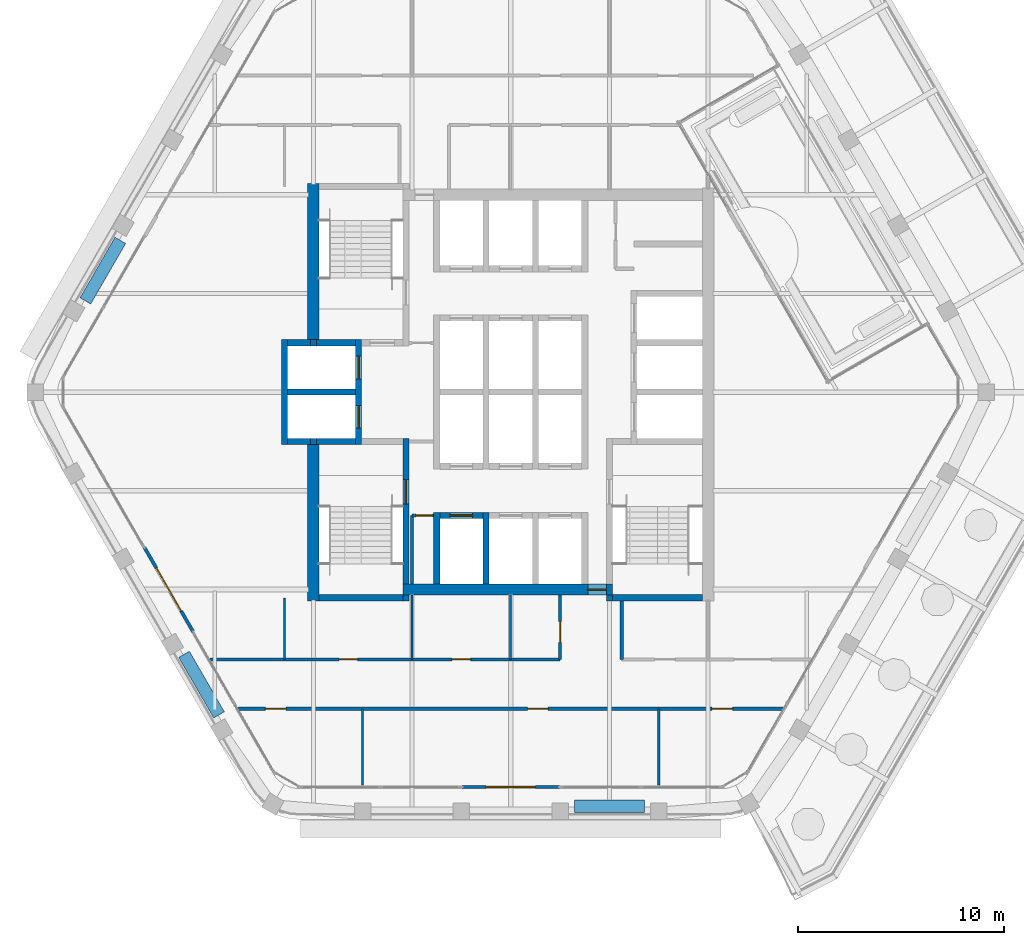
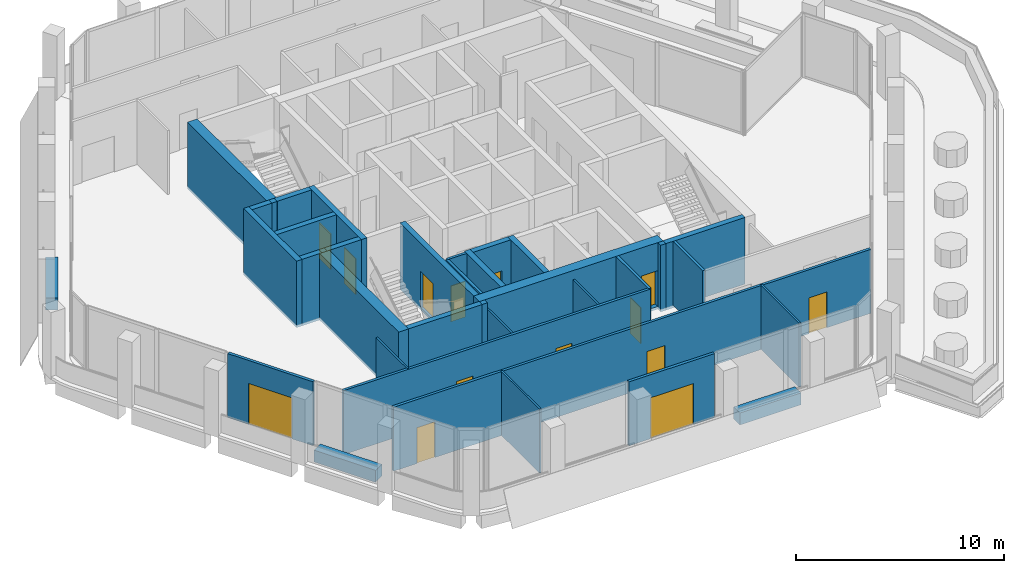
# One storey, part 11 of 17: 36 walls, 14 doors, 14 openings.
"""IFC4 building model written with IfcOpenShell, lengths in metres."""

from ifc_helpers import new_model, si_unit, direction, frame, frame_2d, origin, place, context, subcontext, project, spatial, rectangle, extrude, material, layer, layer_set, type_object, element, fill, save


model = new_model("IFC4")

# Units and contexts
model_context = context("Model", 3, precision=1e-05, world=origin(), true_north=direction((0.0, 1.0)))
body_context = subcontext(model_context, "Body", "Model", "MODEL_VIEW")
ifc_project = project(units=[si_unit("LENGTHUNIT", "METRE"), si_unit("AREAUNIT", "SQUARE_METRE"), si_unit("VOLUMEUNIT", "CUBIC_METRE"), si_unit("PLANEANGLEUNIT", "RADIAN"), si_unit("MASSUNIT", "GRAM", prefix="KILO")], contexts=[model_context])

# Site, building, storey
site_placement = place(None, origin())
site = spatial("IfcSite", under=ifc_project, at=site_placement, CompositionType="ELEMENT")
building_placement = place(site_placement, origin())
building = spatial("IfcBuilding", under=site, at=building_placement, Name="Kolab Exchange Tower", CompositionType="ELEMENT")
storey_placement = place(building_placement, frame((0.0, 0.0, 285.199951171875)))
storey = spatial("IfcBuildingStorey", under=building, at=storey_placement, Name="L64", CompositionType="ELEMENT", Elevation=285.199951171875)

# Wall, opening, door
ifc_material_1 = material(Name="Concrete C50/60", Category="concrete")
ifc_layer_1 = layer(ifc_material_1, 0.550048828125)
ifc_layer_set_1 = layer_set([ifc_layer_1], Name="Concrete C50/60")
wall_type_1 = type_object("IfcWallType", Name="CORE WALL 550 C50/60", PredefinedType="SHEAR", material=ifc_layer_set_1)
wall_1_placement = place(storey_placement, frame((-5.25, -9.60009765625, -0.14990234375), z_axis=(0.0, 0.0, 1.0), x_axis=(1.0, 0.0, 0.0)))
wall_1 = element("IfcWall", 1, at=wall_1_placement, inside=storey, type_object=wall_type_1, Name="wall/L64/core/002", PredefinedType="SHEAR", context=body_context, shape_type="SweptSolid", body=[
    extrude(rectangle(XDim=10.199951171875, YDim=0.550048828125, at=frame_2d((5.10009765625, 0.0))), origin(), (0.0, 0.0, 1.0), 3.89990234375),
])
opening_1_placement = place(wall_1_placement, frame((9.0, 0.0, 0.14990234375)))
opening_1 = element("IfcOpeningElement", 2, at=opening_1_placement, cuts=wall_1, Name="Opening D6-296", PredefinedType="OPENING", context=body_context, shape_type="SweptSolid", body=[
    extrude(rectangle(XDim=0.89990234375, YDim=2.10009765625, at=frame_2d((0.449951171875, 1.050048828125))), frame((0.0, 0.28515625, 0.0), z_axis=(0.0, -1.0, 0.0), x_axis=(1.0, 0.0, 0.0)), (0.0, 0.0, 1.0), 0.570068359375),
])
ifc_material_2 = material(Name="Steel S235", Category="steel")
door_type_1 = type_object("IfcDoorType", Name="CORE DOOR 900 EI 120", OperationType="SINGLE_SWING_LEFT", PredefinedType="DOOR", material=ifc_material_2)
door_1_placement = place(opening_1_placement, origin())
door_1 = element("IfcDoor", 3, at=door_1_placement, inside=storey, type_object=door_type_1, Name="Core lobby door", OperationType="SINGLE_SWING_LEFT", OverallHeight=2.10009765625, OverallWidth=0.89990234375, PredefinedType="DOOR", context=body_context, shape_type="SweptSolid", body=[
    extrude(rectangle(XDim=0.89990234375, YDim=2.10009765625, at=frame_2d((0.449951171875, 1.050048828125))), frame((0.0, 0.02490234375, 0.0), z_axis=(0.0, -1.0, 0.0), x_axis=(1.0, 0.0, 0.0)), (0.0, 0.0, 1.0), 0.050048828125),
])
fill(opening_1, door_1)

# Walls
for number, where, z_axis, x_axis, name in (
    (4, (-9.60009765625, -10.14990234375, -0.14990234375), (0.0, 0.0, 1.0), (0.0, 1.0, 0.0), "wall/L64/core/034"),
    (5, (-9.60009765625, 2.550048828125, -0.14990234375), (0.0, 0.0, 1.0), (0.0, 1.0, 0.0), "wall/L64/core/037"),
):
    element("IfcWall", number, at=place(storey_placement, frame(where, z_axis=z_axis, x_axis=x_axis)), inside=storey, type_object=wall_type_1, Name=name, PredefinedType="SHEAR", context=body_context, shape_type="SweptSolid", body=[
        extrude(rectangle(XDim=7.599853515625, YDim=0.550048828125, at=frame_2d((3.7998046875, 0.0))), origin(), (0.0, 0.0, 1.0), 3.89990234375),
    ])

# Wall, opening, door
ifc_material_3 = material(Name="Aluminium EN AW-6063 T6", Category="aluminium")
ifc_layer_2 = layer(ifc_material_3, 0.159912109375)
ifc_layer_set_2 = layer_set([ifc_layer_2], Name="Aluminium EN AW-6063 T6")
wall_type_2 = type_object("IfcWallType", Name="DOOR SURROUND WALL 160 ALUMINIUM FRAMED", PredefinedType="PARTITIONING", material=ifc_layer_set_2)
wall_2_placement = place(storey_placement, frame((2.3701171875, -19.20458984375, 0.0), z_axis=(0.0, 0.0, 1.0), x_axis=(-1.0, 0.0, 0.0)))
wall_2 = element("IfcWall", 6, at=wall_2_placement, inside=storey, type_object=wall_type_2, Name="Door surround wall", PredefinedType="PARTITIONING", context=body_context, shape_type="SweptSolid", body=[
    extrude(rectangle(XDim=4.740234375, YDim=0.159912109375, at=frame_2d((2.3701171875, 0.0))), origin(), (0.0, 0.0, 1.0), 3.75),
])
opening_2_placement = place(wall_2_placement, frame((1.169921875, 0.0, 0.0)))
opening_2 = element("IfcOpeningElement", 7, at=opening_2_placement, cuts=wall_2, Name="Opening GD1-092", PredefinedType="OPENING", context=body_context, shape_type="SweptSolid", body=[
    extrude(rectangle(XDim=2.39990234375, YDim=2.39990234375, at=frame_2d((1.199951171875, 1.199951171875))), frame((0.0, 0.08984375, 0.0), z_axis=(0.0, -1.0, 0.0), x_axis=(1.0, 0.0, 0.0)), (0.0, 0.0, 1.0), 0.179931640625),
])
door_type_2 = type_object("IfcDoorType", Name="LOGGIA SLIDING GLASS DOOR 2400 X 2400", OperationType="DOUBLE_DOOR_SINGLE_SWING", PredefinedType="DOOR", material=ifc_material_3)
door_2_placement = place(opening_2_placement, origin())
door_2 = element("IfcDoor", 8, at=door_2_placement, inside=storey, type_object=door_type_2, Name="Loggia door", OperationType="DOUBLE_DOOR_SLIDING", OverallHeight=2.39990234375, OverallWidth=2.39990234375, PredefinedType="DOOR", context=body_context, shape_type="SweptSolid", body=[
    extrude(rectangle(XDim=2.39990234375, YDim=2.39990234375, at=frame_2d((1.199951171875, 1.199951171875))), frame((0.0, 0.02490234375, 0.0), z_axis=(0.0, -1.0, 0.0), x_axis=(1.0, 0.0, 0.0)), (0.0, 0.0, 1.0), 0.050048828125),
])
fill(opening_2, door_2)

wall_3_placement = place(storey_placement, frame((-15.44677734375, -11.65478515625, 0.0), z_axis=(0.0, 0.0, 1.0), x_axis=(-0.499978080042, 0.866038058908, 0.0)))
wall_3 = element("IfcWall", 9, at=wall_3_placement, inside=storey, type_object=wall_type_2, Name="Door surround wall", PredefinedType="PARTITIONING", context=body_context, shape_type="SweptSolid", body=[
    extrude(rectangle(XDim=4.739990234375, YDim=0.159912109375, at=frame_2d((2.3701171875, 0.0))), origin(), (0.0, 0.0, 1.0), 3.75),
])
opening_3_placement = place(wall_3_placement, frame((1.169921875, 0.0, 0.0)))
opening_3 = element("IfcOpeningElement", 10, at=opening_3_placement, cuts=wall_3, Name="Opening GD1-093", PredefinedType="OPENING", context=body_context, shape_type="SweptSolid", body=[
    extrude(rectangle(XDim=2.39990234375, YDim=2.39990234375, at=frame_2d((1.199951171875, 1.199951171875))), frame((0.0, 0.08984375, 0.0), z_axis=(0.0, -1.0, 0.0), x_axis=(1.0, 0.0, 0.0)), (0.0, 0.0, 1.0), 0.179931640625),
])
door_3_placement = place(opening_3_placement, origin())
door_3 = element("IfcDoor", 11, at=door_3_placement, inside=storey, type_object=door_type_2, Name="Loggia door", OperationType="DOUBLE_DOOR_SLIDING", OverallHeight=2.39990234375, OverallWidth=2.39990234375, PredefinedType="DOOR", context=body_context, shape_type="SweptSolid", body=[
    extrude(rectangle(XDim=2.39990234375, YDim=2.39990234375, at=frame_2d((1.199951171875, 1.199951171875))), frame((0.0, 0.02490234375, 0.0), z_axis=(0.0, -1.0, 0.0), x_axis=(1.0, 0.0, 0.0)), (0.0, 0.0, 1.0), 0.050048828125),
])
fill(opening_3, door_3)

ifc_layer_3 = layer(ifc_material_1, 0.300048828125)
ifc_layer_set_3 = layer_set([ifc_layer_3], Name="Concrete C50/60")
wall_type_3 = type_object("IfcWallType", Name="LIFT SHAFT WALL 300 C50/60", PredefinedType="STANDARD", material=ifc_layer_set_3)
wall_4_placement = place(storey_placement, frame((-3.449951171875, -6.0, -0.14990234375), z_axis=(0.0, 0.0, 1.0), x_axis=(1.0, 0.0, 0.0)))
wall_4 = element("IfcWall", 12, at=wall_4_placement, inside=storey, type_object=wall_type_3, Name="wall/L64/core/003", PredefinedType="STANDARD", context=body_context, shape_type="SweptSolid", body=[
    extrude(rectangle(XDim=2.099853515625, YDim=0.300048828125, at=frame_2d((1.0498046875, 0.0))), origin(), (0.0, 0.0, 1.0), 3.89990234375),
])
opening_4_placement = place(wall_4_placement, frame((0.5, 0.0, 0.14990234375)))
opening_4 = element("IfcOpeningElement", 13, at=opening_4_placement, cuts=wall_4, Name="Opening LD1-110", PredefinedType="OPENING", context=body_context, shape_type="SweptSolid", body=[
    extrude(rectangle(XDim=1.10009765625, YDim=2.10009765625, at=frame_2d((0.550048828125, 1.050048828125))), frame((0.0, 0.16015625, 0.0), z_axis=(0.0, -1.0, 0.0), x_axis=(1.0, 0.0, 0.0)), (0.0, 0.0, 1.0), 0.320068359375),
])
ifc_material_4 = material(Name="Stainless steel 316", Category="steel")
door_type_3 = type_object("IfcDoorType", Name="LANDING DOOR 1100 PASSENGER", OperationType="DOUBLE_DOOR_SLIDING", PredefinedType="DOOR", material=ifc_material_4)
door_4_placement = place(opening_4_placement, origin())
door_4 = element("IfcDoor", 14, at=door_4_placement, inside=storey, type_object=door_type_3, Name="Landing door HR10", OperationType="DOUBLE_DOOR_SLIDING", OverallHeight=2.10009765625, OverallWidth=1.10009765625, PredefinedType="DOOR", context=body_context, shape_type="SweptSolid", body=[
    extrude(rectangle(XDim=1.10009765625, YDim=2.10009765625, at=frame_2d((0.550048828125, 1.050048828125))), frame((0.0, 0.02490234375, 0.0), z_axis=(0.0, -1.0, 0.0), x_axis=(1.0, 0.0, 0.0)), (0.0, 0.0, 1.0), 0.050048828125),
])
fill(opening_4, door_4)

# Walls
wall_5_placement = place(storey_placement, frame((-10.85009765625, -2.39990234375, -0.14990234375), z_axis=(0.0, 0.0, 1.0), x_axis=(1.0, 0.0, 0.0)))
element("IfcWall", 15, at=wall_5_placement, inside=storey, type_object=wall_type_3, Name="wall/L64/core/009", PredefinedType="STANDARD", context=body_context, shape_type="SweptSolid", body=[
    extrude(rectangle(XDim=1.10009765625, YDim=0.300048828125, at=frame_2d((0.550048828125, 0.0))), origin(), (0.0, 0.0, 1.0), 3.89990234375),
])
wall_6_placement = place(storey_placement, frame((-10.85009765625, 0.0, -0.14990234375), z_axis=(0.0, 0.0, 1.0), x_axis=(1.0, 0.0, 0.0)))
element("IfcWall", 16, at=wall_6_placement, inside=storey, type_object=wall_type_3, Name="wall/L64/core/014", PredefinedType="STANDARD", context=body_context, shape_type="SweptSolid", body=[
    extrude(rectangle(XDim=3.300048828125, YDim=0.300048828125, at=frame_2d((1.64990234375, 0.0))), origin(), (0.0, 0.0, 1.0), 3.89990234375),
])
wall_7_placement = place(storey_placement, frame((-10.85009765625, 2.39990234375, -0.14990234375), z_axis=(0.0, 0.0, 1.0), x_axis=(1.0, 0.0, 0.0)))
element("IfcWall", 17, at=wall_7_placement, inside=storey, type_object=wall_type_3, Name="wall/L64/core/019", PredefinedType="STANDARD", context=body_context, shape_type="SweptSolid", body=[
    extrude(rectangle(XDim=1.10009765625, YDim=0.300048828125, at=frame_2d((0.550048828125, 0.0))), origin(), (0.0, 0.0, 1.0), 3.89990234375),
])
wall_8_placement = place(storey_placement, frame((-11.0, -2.550048828125, -0.14990234375), z_axis=(0.0, 0.0, 1.0), x_axis=(0.0, 1.0, 0.0)))
element("IfcWall", 18, at=wall_8_placement, inside=storey, type_object=wall_type_3, Name="wall/L64/core/033", PredefinedType="STANDARD", context=body_context, shape_type="SweptSolid", body=[
    extrude(rectangle(XDim=5.10009765625, YDim=0.300048828125, at=frame_2d((2.550048828125, 0.0))), origin(), (0.0, 0.0, 1.0), 3.89990234375),
])

# Wall, openings, doors
wall_9_placement = place(storey_placement, frame((-7.39990234375, -2.550048828125, -0.14990234375), z_axis=(0.0, 0.0, 1.0), x_axis=(0.0, 1.0, 0.0)))
wall_9 = element("IfcWall", 19, at=wall_9_placement, inside=storey, type_object=wall_type_3, Name="wall/L64/core/038", PredefinedType="STANDARD", context=body_context, shape_type="SweptSolid", body=[
    extrude(rectangle(XDim=5.10009765625, YDim=0.300048828125, at=frame_2d((2.550048828125, 0.0))), origin(), (0.0, 0.0, 1.0), 3.89990234375),
])
opening_5_placement = place(wall_9_placement, frame((0.800048828125, 0.0, 0.14990234375)))
opening_5 = element("IfcOpeningElement", 20, at=opening_5_placement, cuts=wall_9, Name="Opening LD2-025", PredefinedType="OPENING", context=body_context, shape_type="SweptSolid", body=[
    extrude(rectangle(XDim=1.10009765625, YDim=2.10009765625, at=frame_2d((0.550048828125, 1.050048828125))), frame((0.0, 0.16015625, 0.0), z_axis=(0.0, -1.0, 0.0), x_axis=(1.0, 0.0, 0.0)), (0.0, 0.0, 1.0), 0.320068359375),
])
opening_6_placement = place(wall_9_placement, frame((3.199951171875, 0.0, 0.14990234375)))
opening_6 = element("IfcOpeningElement", 21, at=opening_6_placement, cuts=wall_9, Name="Opening LD2-026", PredefinedType="OPENING", context=body_context, shape_type="SweptSolid", body=[
    extrude(rectangle(XDim=1.10009765625, YDim=2.10009765625, at=frame_2d((0.550048828125, 1.050048828125))), frame((0.0, 0.16015625, 0.0), z_axis=(0.0, -1.0, 0.0), x_axis=(1.0, 0.0, 0.0)), (0.0, 0.0, 1.0), 0.320068359375),
])
door_type_4 = type_object("IfcDoorType", Name="LANDING DOOR 1100 FIREFIGHTING", OperationType="DOUBLE_DOOR_SLIDING", PredefinedType="DOOR", material=ifc_material_4)
door_5_placement = place(opening_5_placement, origin())
door_5 = element("IfcDoor", 22, at=door_5_placement, inside=storey, type_object=door_type_4, Name="Landing door FF1", OperationType="DOUBLE_DOOR_SLIDING", OverallHeight=2.10009765625, OverallWidth=1.10009765625, PredefinedType="DOOR", context=body_context, shape_type="SweptSolid", body=[
    extrude(rectangle(XDim=1.10009765625, YDim=2.10009765625, at=frame_2d((0.550048828125, 1.050048828125))), frame((0.0, 0.02490234375, 0.0), z_axis=(0.0, -1.0, 0.0), x_axis=(1.0, 0.0, 0.0)), (0.0, 0.0, 1.0), 0.050048828125),
])
fill(opening_5, door_5)
door_6_placement = place(opening_6_placement, origin())
door_6 = element("IfcDoor", 23, at=door_6_placement, inside=storey, type_object=door_type_4, Name="Landing door FF2", OperationType="DOUBLE_DOOR_SLIDING", OverallHeight=2.10009765625, OverallWidth=1.10009765625, PredefinedType="DOOR", context=body_context, shape_type="SweptSolid", body=[
    extrude(rectangle(XDim=1.10009765625, YDim=2.10009765625, at=frame_2d((0.550048828125, 1.050048828125))), frame((0.0, 0.02490234375, 0.0), z_axis=(0.0, -1.0, 0.0), x_axis=(1.0, 0.0, 0.0)), (0.0, 0.0, 1.0), 0.050048828125),
])
fill(opening_6, door_6)

# Walls
for number, where, z_axis, x_axis, name in (
    (24, (-3.60009765625, -9.324951171875, -0.14990234375), (0.0, 0.0, 1.0), (0.0, 1.0, 0.0), "wall/L64/core/043"),
    (25, (-1.199951171875, -9.324951171875, -0.14990234375), (0.0, 0.0, 1.0), (0.0, 1.0, 0.0), "wall/L64/core/046"),
):
    element("IfcWall", number, at=place(storey_placement, frame(where, z_axis=z_axis, x_axis=x_axis)), inside=storey, type_object=wall_type_3, Name=name, PredefinedType="STANDARD", context=body_context, shape_type="SweptSolid", body=[
        extrude(rectangle(XDim=3.474853515625, YDim=0.300048828125, at=frame_2d((1.7373046875, 0.0))), origin(), (0.0, 0.0, 1.0), 3.89990234375),
    ])
ifc_material_5 = material(Name="Gypsum board", Category="gypsum")
ifc_layer_4 = layer(ifc_material_5, 0.10009765625)
ifc_layer_set_4 = layer_set([ifc_layer_4], Name="Gypsum board")
wall_type_4 = type_object("IfcWallType", Name="PARTITION 100", PredefinedType="PARTITIONING", material=ifc_layer_set_4)
wall_10_placement = place(storey_placement, frame((7.199951171875, -19.114501953125, 0.0), z_axis=(0.0, 0.0, 1.0), x_axis=(0.0, 1.0, 0.0)))
element("IfcWall", 26, at=wall_10_placement, inside=storey, type_object=wall_type_4, Name="Partition 002", PredefinedType="PARTITIONING", context=body_context, shape_type="SweptSolid", body=[
    extrude(rectangle(XDim=3.714599609375, YDim=0.10009765625, at=frame_2d((1.857421875, 0.0))), origin(), (0.0, 0.0, 1.0), 3.75),
])
for number, where, z_axis, x_axis, name in (
    (27, (0.0, -13.0, 0.0), (0.0, 0.0, 1.0), (0.0, 1.0, 0.0), "Partition 008"),
    (28, (-4.800048828125, -13.0, 0.0), (0.0, 0.0, 1.0), (0.0, 1.0, 0.0), "Partition 011"),
):
    element("IfcWall", number, at=place(storey_placement, frame(where, z_axis=z_axis, x_axis=x_axis)), inside=storey, type_object=wall_type_4, Name=name, PredefinedType="PARTITIONING", context=body_context, shape_type="SweptSolid", body=[
        extrude(rectangle(XDim=3.125, YDim=0.10009765625, at=frame_2d((1.5625, 0.0))), origin(), (0.0, 0.0, 1.0), 3.217041015625),
    ])
wall_11_placement = place(storey_placement, frame((-7.199951171875, -19.114501953125, 0.0), z_axis=(0.0, 0.0, 1.0), x_axis=(0.0, 1.0, 0.0)))
element("IfcWall", 29, at=wall_11_placement, inside=storey, type_object=wall_type_4, Name="Partition 015", PredefinedType="PARTITIONING", context=body_context, shape_type="SweptSolid", body=[
    extrude(rectangle(XDim=3.714599609375, YDim=0.10009765625, at=frame_2d((1.857421875, 0.0))), origin(), (0.0, 0.0, 1.0), 3.75),
])
wall_12_placement = place(storey_placement, frame((-11.0, -13.0, 0.0), z_axis=(0.0, 0.0, 1.0), x_axis=(0.0, 1.0, 0.0)))
element("IfcWall", 30, at=wall_12_placement, inside=storey, type_object=wall_type_4, Name="Partition 016", PredefinedType="PARTITIONING", context=body_context, shape_type="SweptSolid", body=[
    extrude(rectangle(XDim=3.0, YDim=0.10009765625, at=frame_2d((1.5, 0.0))), origin(), (0.0, 0.0, 1.0), 3.75),
])
ifc_layer_5 = layer(ifc_material_5, 0.14990234375)
ifc_layer_set_5 = layer_set([ifc_layer_5], Name="Gypsum board")
wall_type_5 = type_object("IfcWallType", Name="PARTITION 150 FIRE-RATED", PredefinedType="PARTITIONING", material=ifc_layer_set_5)
wall_13_placement = place(storey_placement, frame((5.39990234375, -13.0, 0.0), z_axis=(0.0, 0.0, 1.0), x_axis=(0.0, 1.0, 0.0)))
element("IfcWall", 31, at=wall_13_placement, inside=storey, type_object=wall_type_5, Name="Partition 003", PredefinedType="PARTITIONING", context=body_context, shape_type="SweptSolid", body=[
    extrude(rectangle(XDim=2.85009765625, YDim=0.14990234375, at=frame_2d((1.425048828125, 0.0))), origin(), (0.0, 0.0, 1.0), 3.75),
])

# Wall, opening, door
wall_14_placement = place(storey_placement, frame((2.39990234375, -13.0, 0.0), z_axis=(0.0, 0.0, 1.0), x_axis=(0.0, 1.0, 0.0)))
wall_14 = element("IfcWall", 32, at=wall_14_placement, inside=storey, type_object=wall_type_5, Name="Partition 007", PredefinedType="PARTITIONING", context=body_context, shape_type="SweptSolid", body=[
    extrude(rectangle(XDim=3.125, YDim=0.14990234375, at=frame_2d((1.5625, 0.0))), origin(), (0.0, 0.0, 1.0), 3.75),
])
opening_7_placement = place(wall_14_placement, frame((0.8349609375, 0.0, 0.0)))
opening_7 = element("IfcOpeningElement", 33, at=opening_7_placement, cuts=wall_14, Name="Opening D1-746", PredefinedType="OPENING", context=body_context, shape_type="SweptSolid", body=[
    extrude(rectangle(XDim=1.0, YDim=2.10009765625, at=frame_2d((0.5, 1.050048828125))), frame((0.0, 0.0849609375, 0.0), z_axis=(0.0, -1.0, 0.0), x_axis=(1.0, 0.0, 0.0)), (0.0, 0.0, 1.0), 0.169921875),
])
door_type_5 = type_object("IfcDoorType", Name="FLUSH DOOR 1000 FD60", OperationType="SINGLE_SWING_LEFT", PredefinedType="DOOR", material=ifc_material_2)
door_7_placement = place(opening_7_placement, origin())
door_7 = element("IfcDoor", 34, at=door_7_placement, inside=storey, type_object=door_type_5, Name="Door L64-038", OperationType="SINGLE_SWING_LEFT", OverallHeight=2.10009765625, OverallWidth=1.0, PredefinedType="DOOR", context=body_context, shape_type="SweptSolid", body=[
    extrude(rectangle(XDim=1.0, YDim=2.10009765625, at=frame_2d((0.5, 1.050048828125))), frame((0.0, 0.02490234375, 0.0), z_axis=(0.0, -1.0, 0.0), x_axis=(1.0, 0.0, 0.0)), (0.0, 0.0, 1.0), 0.050048828125),
])
fill(opening_7, door_7)

# Wall
wall_15_placement = place(storey_placement, frame((-4.800048828125, -9.324951171875, 0.0), z_axis=(0.0, 0.0, 1.0), x_axis=(0.0, 1.0, 0.0)))
element("IfcWall", 35, at=wall_15_placement, inside=storey, type_object=wall_type_5, Name="Partition 013", PredefinedType="PARTITIONING", context=body_context, shape_type="SweptSolid", body=[
    extrude(rectangle(XDim=3.324951171875, YDim=0.14990234375, at=frame_2d((1.66259765625, 0.0))), origin(), (0.0, 0.0, 1.0), 3.75),
])

# Wall, openings, doors
wall_16_placement = place(storey_placement, frame((-13.23828125, -15.39990234375, 0.0), z_axis=(0.0, 0.0, 1.0), x_axis=(1.0, 0.0, 0.0)))
wall_16 = element("IfcWall", 36, at=wall_16_placement, inside=storey, type_object=wall_type_5, Name="Partition 018", PredefinedType="PARTITIONING", context=body_context, shape_type="SweptSolid", body=[
    extrude(rectangle(XDim=26.4765625, YDim=0.14990234375, at=frame_2d((13.23828125, 0.0))), origin(), (0.0, 0.0, 1.0), 3.75),
])
opening_8_placement = place(wall_16_placement, frame((1.3056640625, 0.0, 0.0)))
opening_8 = element("IfcOpeningElement", 37, at=opening_8_placement, cuts=wall_16, Name="Opening D1-750", PredefinedType="OPENING", context=body_context, shape_type="SweptSolid", body=[
    extrude(rectangle(XDim=1.0, YDim=2.10009765625, at=frame_2d((0.5, 1.050048828125))), frame((0.0, 0.0849609375, 0.0), z_axis=(0.0, -1.0, 0.0), x_axis=(1.0, 0.0, 0.0)), (0.0, 0.0, 1.0), 0.169921875),
])
opening_9_placement = place(wall_16_placement, frame((14.063232421875, 0.0, 0.0)))
opening_9 = element("IfcOpeningElement", 38, at=opening_9_placement, cuts=wall_16, Name="Opening D1-751", PredefinedType="OPENING", context=body_context, shape_type="SweptSolid", body=[
    extrude(rectangle(XDim=1.0, YDim=2.10009765625, at=frame_2d((0.5, 1.050048828125))), frame((0.0, 0.0849609375, 0.0), z_axis=(0.0, -1.0, 0.0), x_axis=(1.0, 0.0, 0.0)), (0.0, 0.0, 1.0), 0.169921875),
])
opening_10_placement = place(wall_16_placement, frame((23.026611328125, 0.0, 0.0)))
opening_10 = element("IfcOpeningElement", 39, at=opening_10_placement, cuts=wall_16, Name="Opening D1-752", PredefinedType="OPENING", context=body_context, shape_type="SweptSolid", body=[
    extrude(rectangle(XDim=1.0, YDim=2.10009765625, at=frame_2d((0.5, 1.050048828125))), frame((0.0, 0.0849609375, 0.0), z_axis=(0.0, -1.0, 0.0), x_axis=(1.0, 0.0, 0.0)), (0.0, 0.0, 1.0), 0.169921875),
])
door_8_placement = place(opening_8_placement, frame((1.0, 0.0, 0.0), z_axis=(0.0, 0.0, 1.0), x_axis=(-1.0, 0.0, 0.0)))
door_8 = element("IfcDoor", 40, at=door_8_placement, inside=storey, type_object=door_type_5, Name="Door L64-042", OperationType="SINGLE_SWING_LEFT", OverallHeight=2.10009765625, OverallWidth=1.0, PredefinedType="DOOR", context=body_context, shape_type="SweptSolid", body=[
    extrude(rectangle(XDim=1.0, YDim=2.10009765625, at=frame_2d((0.5, 1.050048828125))), frame((0.0, 0.02490234375, 0.0), z_axis=(0.0, -1.0, 0.0), x_axis=(1.0, 0.0, 0.0)), (0.0, 0.0, 1.0), 0.050048828125),
])
fill(opening_8, door_8)
door_9_placement = place(opening_9_placement, frame((1.0, 0.0, 0.0), z_axis=(0.0, 0.0, 1.0), x_axis=(-1.0, 0.0, 0.0)))
door_9 = element("IfcDoor", 41, at=door_9_placement, inside=storey, type_object=door_type_5, Name="Door L64-043", OperationType="SINGLE_SWING_RIGHT", OverallHeight=2.10009765625, OverallWidth=1.0, PredefinedType="DOOR", context=body_context, shape_type="SweptSolid", body=[
    extrude(rectangle(XDim=1.0, YDim=2.10009765625, at=frame_2d((0.5, 1.050048828125))), frame((0.0, 0.02490234375, 0.0), z_axis=(0.0, -1.0, 0.0), x_axis=(1.0, 0.0, 0.0)), (0.0, 0.0, 1.0), 0.050048828125),
])
fill(opening_9, door_9)
door_10_placement = place(opening_10_placement, frame((1.0, 0.0, 0.0), z_axis=(0.0, 0.0, 1.0), x_axis=(-1.0, 0.0, 0.0)))
door_10 = element("IfcDoor", 42, at=door_10_placement, inside=storey, type_object=door_type_5, Name="Door L64-044", OperationType="SINGLE_SWING_RIGHT", OverallHeight=2.10009765625, OverallWidth=1.0, PredefinedType="DOOR", context=body_context, shape_type="SweptSolid", body=[
    extrude(rectangle(XDim=1.0, YDim=2.10009765625, at=frame_2d((0.5, 1.050048828125))), frame((0.0, 0.02490234375, 0.0), z_axis=(0.0, -1.0, 0.0), x_axis=(1.0, 0.0, 0.0)), (0.0, 0.0, 1.0), 0.050048828125),
])
fill(opening_10, door_10)

wall_17_placement = place(storey_placement, frame((-14.623779296875, -13.0, 0.0), z_axis=(0.0, 0.0, 1.0), x_axis=(1.0, 0.0, 0.0)))
wall_17 = element("IfcWall", 43, at=wall_17_placement, inside=storey, type_object=wall_type_5, Name="Partition 019", PredefinedType="PARTITIONING", context=body_context, shape_type="SweptSolid", body=[
    extrude(rectangle(XDim=17.023681640625, YDim=0.14990234375, at=frame_2d((8.51171875, 0.0))), origin(), (0.0, 0.0, 1.0), 3.75),
])
opening_11_placement = place(wall_17_placement, frame((6.273681640625, 0.0, 0.0)))
opening_11 = element("IfcOpeningElement", 44, at=opening_11_placement, cuts=wall_17, Name="Opening D3-091", PredefinedType="OPENING", context=body_context, shape_type="SweptSolid", body=[
    extrude(rectangle(XDim=0.89990234375, YDim=2.10009765625, at=frame_2d((0.449951171875, 1.050048828125))), frame((0.0, 0.0849609375, 0.0), z_axis=(0.0, -1.0, 0.0), x_axis=(1.0, 0.0, 0.0)), (0.0, 0.0, 1.0), 0.169921875),
])
opening_12_placement = place(wall_17_placement, frame((11.773681640625, 0.0, 0.0)))
opening_12 = element("IfcOpeningElement", 45, at=opening_12_placement, cuts=wall_17, Name="Opening D3-092", PredefinedType="OPENING", context=body_context, shape_type="SweptSolid", body=[
    extrude(rectangle(XDim=0.89990234375, YDim=2.10009765625, at=frame_2d((0.449951171875, 1.050048828125))), frame((0.0, 0.0849609375, 0.0), z_axis=(0.0, -1.0, 0.0), x_axis=(1.0, 0.0, 0.0)), (0.0, 0.0, 1.0), 0.169921875),
])
door_type_6 = type_object("IfcDoorType", Name="FLUSH DOOR 900 FD60", OperationType="SINGLE_SWING_LEFT", PredefinedType="DOOR", material=ifc_material_2)
door_11_placement = place(opening_11_placement, origin())
door_11 = element("IfcDoor", 46, at=door_11_placement, inside=storey, type_object=door_type_6, Name="Door L64-036", OperationType="SINGLE_SWING_RIGHT", OverallHeight=2.10009765625, OverallWidth=0.89990234375, PredefinedType="DOOR", context=body_context, shape_type="SweptSolid", body=[
    extrude(rectangle(XDim=0.89990234375, YDim=2.10009765625, at=frame_2d((0.449951171875, 1.050048828125))), frame((0.0, 0.02490234375, 0.0), z_axis=(0.0, -1.0, 0.0), x_axis=(1.0, 0.0, 0.0)), (0.0, 0.0, 1.0), 0.050048828125),
])
fill(opening_11, door_11)
door_12_placement = place(opening_12_placement, origin())
door_12 = element("IfcDoor", 47, at=door_12_placement, inside=storey, type_object=door_type_6, Name="Door L64-037", OperationType="SINGLE_SWING_LEFT", OverallHeight=2.10009765625, OverallWidth=0.89990234375, PredefinedType="DOOR", context=body_context, shape_type="SweptSolid", body=[
    extrude(rectangle(XDim=0.89990234375, YDim=2.10009765625, at=frame_2d((0.449951171875, 1.050048828125))), frame((0.0, 0.02490234375, 0.0), z_axis=(0.0, -1.0, 0.0), x_axis=(1.0, 0.0, 0.0)), (0.0, 0.0, 1.0), 0.050048828125),
])
fill(opening_12, door_12)

# Wall, opening, door
wall_18_placement = place(storey_placement, frame((-4.800048828125, -6.0, 0.0), z_axis=(0.0, 0.0, 1.0), x_axis=(1.0, 0.0, 0.0)))
wall_18 = element("IfcWall", 48, at=wall_18_placement, inside=storey, type_object=wall_type_5, Name="Partition 021", PredefinedType="PARTITIONING", context=body_context, shape_type="SweptSolid", body=[
    extrude(rectangle(XDim=1.050048828125, YDim=0.14990234375, at=frame_2d((0.52490234375, 0.0))), origin(), (0.0, 0.0, 1.0), 3.75),
])
opening_13_placement = place(wall_18_placement, frame((0.199951171875, 0.0, 0.0)))
opening_13 = element("IfcOpeningElement", 49, at=opening_13_placement, cuts=wall_18, Name="Opening D7-034", PredefinedType="OPENING", context=body_context, shape_type="SweptSolid", body=[
    extrude(rectangle(XDim=0.800048828125, YDim=2.10009765625, at=frame_2d((0.39990234375, 1.050048828125))), frame((0.0, 0.0849609375, 0.0), z_axis=(0.0, -1.0, 0.0), x_axis=(1.0, 0.0, 0.0)), (0.0, 0.0, 1.0), 0.169921875),
])
door_type_7 = type_object("IfcDoorType", Name="FLUSH DOOR 800 FD60", OperationType="SINGLE_SWING_LEFT", PredefinedType="DOOR", material=ifc_material_2)
door_13_placement = place(opening_13_placement, frame((0.800048828125, 0.0, 0.0), z_axis=(0.0, 0.0, 1.0), x_axis=(-1.0, 0.0, 0.0)))
door_13 = element("IfcDoor", 50, at=door_13_placement, inside=storey, type_object=door_type_7, Name="Door L64-024", OperationType="SINGLE_SWING_RIGHT", OverallHeight=2.10009765625, OverallWidth=0.800048828125, PredefinedType="DOOR", context=body_context, shape_type="SweptSolid", body=[
    extrude(rectangle(XDim=0.800048828125, YDim=2.10009765625, at=frame_2d((0.39990234375, 1.050048828125))), frame((0.0, 0.02490234375, 0.0), z_axis=(0.0, -1.0, 0.0), x_axis=(1.0, 0.0, 0.0)), (0.0, 0.0, 1.0), 0.050048828125),
])
fill(opening_13, door_13)

# Walls
ifc_material_6 = material(Name="Granite facing", Category="masonry")
ifc_layer_6 = layer(ifc_material_6, 0.0400390625)
ifc_material_7 = material(Name="Concrete C40/50 precast", Category="concrete")
ifc_layer_7 = layer(ifc_material_7, 0.56005859375)
ifc_layer_set_6 = layer_set([ifc_layer_6, ifc_layer_7], Name="Concrete C40/50 precast")
wall_type_6 = type_object("IfcWallType", Name="PLANTER BOX 600 X 700 SOIL DEPTH 550", PredefinedType="USERDEFINED", material=ifc_layer_set_6)
wall_19_placement = place(storey_placement, frame((6.5, -20.134521484375, 0.0), z_axis=(0.0, 0.0, 1.0), x_axis=(-1.0, 0.0, 0.0)))
element("IfcWall", 51, at=wall_19_placement, inside=storey, type_object=wall_type_6, Name="Planter", ObjectType="PLANTER", PredefinedType="USERDEFINED", context=body_context, shape_type="SweptSolid", body=[
    extrude(rectangle(XDim=3.39990234375, YDim=0.60009765625, at=frame_2d((1.699951171875, 0.0))), origin(), (0.0, 0.0, 1.0), 0.699951171875),
])
wall_20_placement = place(storey_placement, frame((-14.18701171875, -15.696533203125, 0.0), z_axis=(0.0, 0.0, 1.0), x_axis=(-0.499977295307, 0.866038511948, 0.0)))
element("IfcWall", 52, at=wall_20_placement, inside=storey, type_object=wall_type_6, Name="Planter", ObjectType="PLANTER", PredefinedType="USERDEFINED", context=body_context, shape_type="SweptSolid", body=[
    extrude(rectangle(XDim=3.400146484375, YDim=0.60009765625, at=frame_2d((1.7001953125, 0.0))), origin(), (0.0, 0.0, 1.0), 0.699951171875),
])
wall_21_placement = place(storey_placement, frame((-20.68701171875, 4.438232421875, 0.0), z_axis=(0.0, 0.0, 1.0), x_axis=(0.500008388397, 0.866020560687, 0.0)))
element("IfcWall", 53, at=wall_21_placement, inside=storey, type_object=wall_type_6, Name="Planter", ObjectType="PLANTER", PredefinedType="USERDEFINED", context=body_context, shape_type="SweptSolid", body=[
    extrude(rectangle(XDim=3.39990234375, YDim=0.60009765625, at=frame_2d((1.699951171875, 0.0))), origin(), (0.0, 0.0, 1.0), 0.699951171875),
])
ifc_layer_8 = layer(ifc_material_1, 0.300048828125)
ifc_layer_set_7 = layer_set([ifc_layer_8], Name="Concrete C50/60")
wall_type_7 = type_object("IfcWallType", Name="STAIR ENCLOSURE WALL 300 C50/60", PredefinedType="STANDARD", material=ifc_layer_set_7)
wall_22_placement = place(storey_placement, frame((-9.324951171875, -10.0, -0.14990234375), z_axis=(0.0, 0.0, 1.0), x_axis=(1.0, 0.0, 0.0)))
element("IfcWall", 54, at=wall_22_placement, inside=storey, type_object=wall_type_7, Name="wall/L64/core/000", PredefinedType="STANDARD", context=body_context, shape_type="SweptSolid", body=[
    extrude(rectangle(XDim=4.074951171875, YDim=0.300048828125, at=frame_2d((2.03759765625, 0.0))), origin(), (0.0, 0.0, 1.0), 3.89990234375),
])
wall_23_placement = place(storey_placement, frame((4.949951171875, -10.0, -0.14990234375), z_axis=(0.0, 0.0, 1.0), x_axis=(1.0, 0.0, 0.0)))
element("IfcWall", 55, at=wall_23_placement, inside=storey, type_object=wall_type_7, Name="wall/L64/core/001", PredefinedType="STANDARD", context=body_context, shape_type="SweptSolid", body=[
    extrude(rectangle(XDim=4.375, YDim=0.300048828125, at=frame_2d((2.1875, 0.0))), origin(), (0.0, 0.0, 1.0), 3.89990234375),
])
for number, where, z_axis, x_axis, name in (
    (56, (-9.449951171875, -2.39990234375, -0.14990234375), (0.0, 0.0, 1.0), (1.0, 0.0, 0.0), "wall/L64/core/010"),
    (57, (-9.449951171875, 2.39990234375, -0.14990234375), (0.0, 0.0, 1.0), (1.0, 0.0, 0.0), "wall/L64/core/020"),
):
    element("IfcWall", number, at=place(storey_placement, frame(where, z_axis=z_axis, x_axis=x_axis)), inside=storey, type_object=wall_type_7, Name=name, PredefinedType="STANDARD", context=body_context, shape_type="SweptSolid", body=[
        extrude(rectangle(XDim=1.89990234375, YDim=0.300048828125, at=frame_2d((0.949951171875, 0.0))), origin(), (0.0, 0.0, 1.0), 3.89990234375),
    ])
for number, where, z_axis, x_axis, name in (
    (58, (-9.60009765625, -2.550048828125, -0.14990234375), (0.0, 0.0, 1.0), (0.0, 1.0, 0.0), "wall/L64/core/035"),
    (59, (-9.60009765625, 2.25, -0.14990234375), (0.0, 0.0, 1.0), (0.0, 1.0, 0.0), "wall/L64/core/036"),
):
    element("IfcWall", number, at=place(storey_placement, frame(where, z_axis=z_axis, x_axis=x_axis)), inside=storey, type_object=wall_type_7, Name=name, PredefinedType="STANDARD", context=body_context, shape_type="SweptSolid", body=[
        extrude(rectangle(XDim=0.300048828125, YDim=0.300048828125, at=frame_2d((0.14990234375, 0.0))), origin(), (0.0, 0.0, 1.0), 3.89990234375),
    ])
wall_24_placement = place(storey_placement, frame((-5.10009765625, -10.14990234375, -0.14990234375), z_axis=(0.0, 0.0, 1.0), x_axis=(0.0, 1.0, 0.0)))
element("IfcWall", 60, at=wall_24_placement, inside=storey, type_object=wall_type_7, Name="wall/L64/core/039", PredefinedType="STANDARD", context=body_context, shape_type="SweptSolid", body=[
    extrude(rectangle(XDim=0.27490234375, YDim=0.300048828125, at=frame_2d((0.137451171875, 0.0))), origin(), (0.0, 0.0, 1.0), 3.89990234375),
])

# Wall, opening, door
wall_25_placement = place(storey_placement, frame((-5.10009765625, -9.324951171875, -0.14990234375), z_axis=(0.0, 0.0, 1.0), x_axis=(0.0, 1.0, 0.0)))
wall_25 = element("IfcWall", 61, at=wall_25_placement, inside=storey, type_object=wall_type_7, Name="wall/L64/core/040", PredefinedType="STANDARD", context=body_context, shape_type="SweptSolid", body=[
    extrude(rectangle(XDim=7.074951171875, YDim=0.300048828125, at=frame_2d((3.53759765625, 0.0))), origin(), (0.0, 0.0, 1.0), 3.89990234375),
])
opening_14_placement = place(wall_25_placement, frame((3.875, 0.0, 0.14990234375)))
opening_14 = element("IfcOpeningElement", 62, at=opening_14_placement, cuts=wall_25, Name="Opening D4-078", PredefinedType="OPENING", context=body_context, shape_type="SweptSolid", body=[
    extrude(rectangle(XDim=1.199951171875, YDim=2.10009765625, at=frame_2d((0.60009765625, 1.050048828125))), frame((0.0, 0.16015625, 0.0), z_axis=(0.0, -1.0, 0.0), x_axis=(1.0, 0.0, 0.0)), (0.0, 0.0, 1.0), 0.320068359375),
])
door_type_8 = type_object("IfcDoorType", Name="STAIR DOOR 1200 EI 120", OperationType="SINGLE_SWING_LEFT", PredefinedType="DOOR", material=ifc_material_2)
door_14_placement = place(opening_14_placement, origin())
door_14 = element("IfcDoor", 63, at=door_14_placement, inside=storey, type_object=door_type_8, Name="Stair 3 door", OperationType="SINGLE_SWING_RIGHT", OverallHeight=2.10009765625, OverallWidth=1.199951171875, PredefinedType="DOOR", context=body_context, shape_type="SweptSolid", body=[
    extrude(rectangle(XDim=1.199951171875, YDim=2.10009765625, at=frame_2d((0.60009765625, 1.050048828125))), frame((0.0, 0.02490234375, 0.0), z_axis=(0.0, -1.0, 0.0), x_axis=(1.0, 0.0, 0.0)), (0.0, 0.0, 1.0), 0.050048828125),
])
fill(opening_14, door_14)

# Wall
wall_26_placement = place(storey_placement, frame((4.800048828125, -10.14990234375, -0.14990234375), z_axis=(0.0, 0.0, 1.0), x_axis=(0.0, 1.0, 0.0)))
element("IfcWall", 64, at=wall_26_placement, inside=storey, type_object=wall_type_7, Name="wall/L64/core/055", PredefinedType="STANDARD", context=body_context, shape_type="SweptSolid", body=[
    extrude(rectangle(XDim=0.27490234375, YDim=0.300048828125, at=frame_2d((0.137451171875, 0.0))), origin(), (0.0, 0.0, 1.0), 3.89990234375),
])

save(model, "model.ifc")
